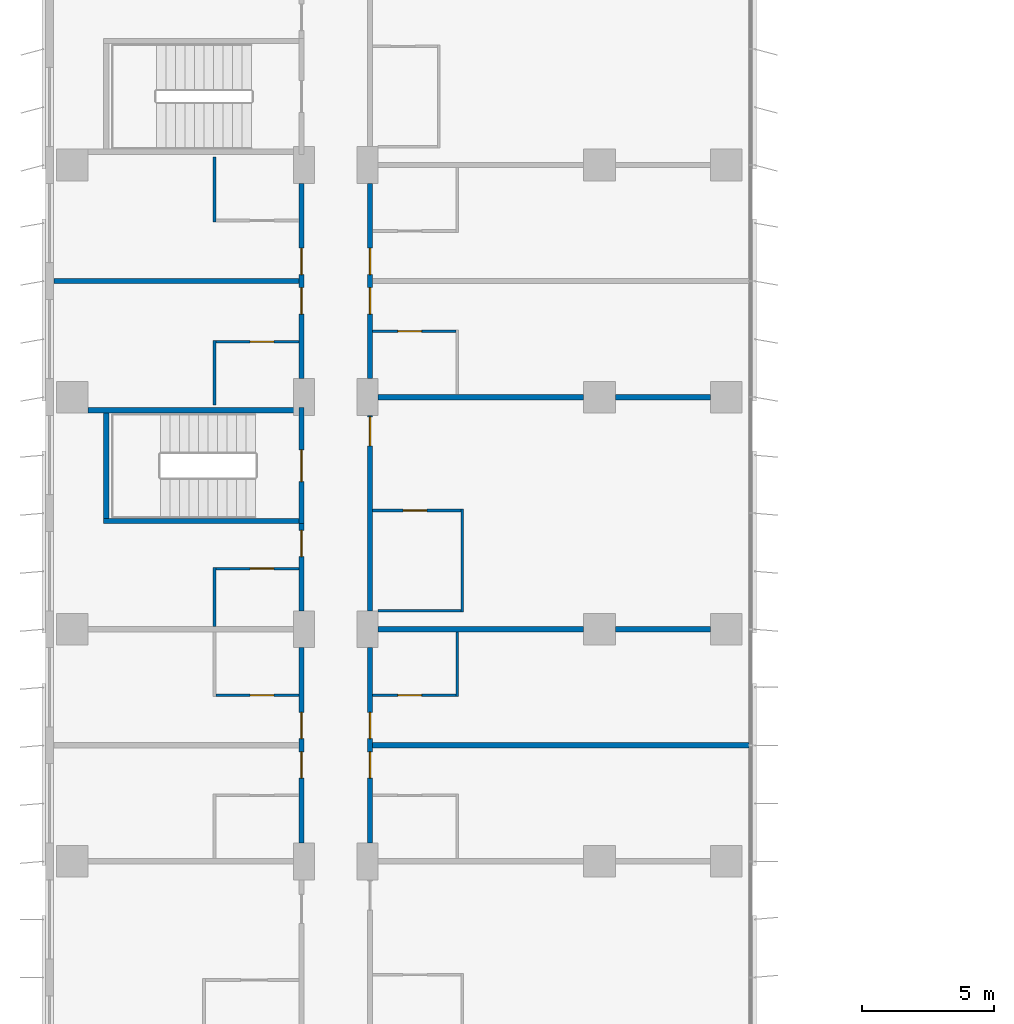
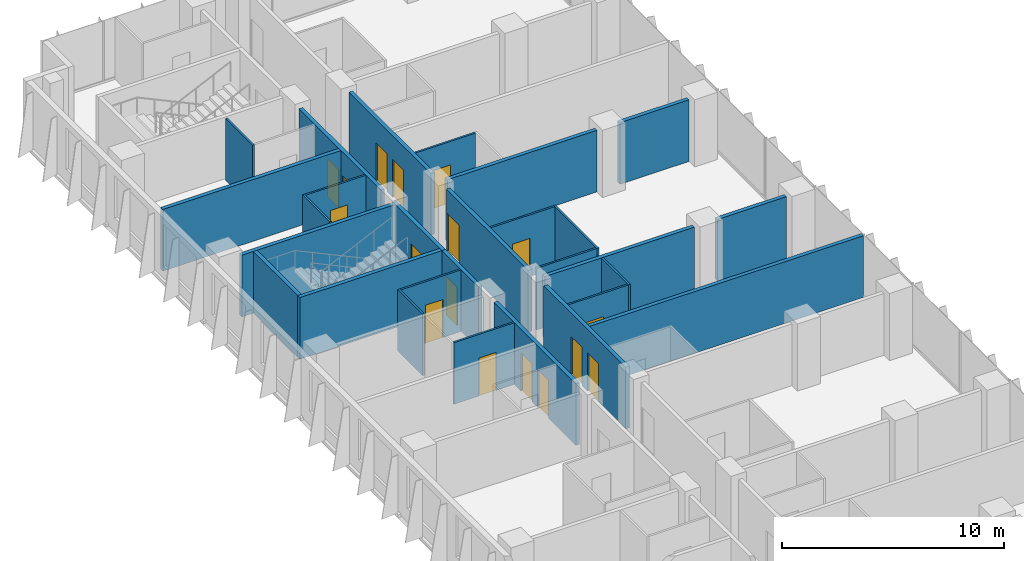
# One storey, part 17 of 23: 28 walls, 17 doors, 17 openings.
"""IFC4 building model written with IfcOpenShell, lengths in metres."""

from ifc_helpers import new_model, si_unit, direction, frame, frame_2d, origin, place, context, subcontext, project, spatial, rectangle, extrude, material, layer, layer_set, type_object, element, fill, save


model = new_model("IFC4")

# Units and contexts
model_context = context("Model", 3, precision=1e-05, world=origin(), true_north=direction((0.0, 1.0)))
body_context = subcontext(model_context, "Body", "Model", "MODEL_VIEW")
ifc_project = project(units=[si_unit("LENGTHUNIT", "METRE"), si_unit("AREAUNIT", "SQUARE_METRE"), si_unit("VOLUMEUNIT", "CUBIC_METRE"), si_unit("PLANEANGLEUNIT", "RADIAN"), si_unit("MASSUNIT", "GRAM", prefix="KILO")], contexts=[model_context])

# Site, building, storey
site_placement = place(None, origin())
site = spatial("IfcSite", under=ifc_project, at=site_placement, CompositionType="ELEMENT")
building_placement = place(site_placement, origin())
building = spatial("IfcBuilding", under=site, at=building_placement, Name="Kemantara Hotel Tower", CompositionType="ELEMENT")
storey_placement = place(building_placement, frame((0.0, 0.0, 114.800048828125)))
storey = spatial("IfcBuildingStorey", under=building, at=storey_placement, Name="L27", CompositionType="ELEMENT", Elevation=114.800048828125)

# Wall, openings, doors
ifc_material_1 = material(Name="Gypsum board partition, steel studs and mineral wool, 200 mm", Category="steel")
ifc_layer_1 = layer(ifc_material_1, 0.199951171875)
ifc_layer_set_1 = layer_set([ifc_layer_1], Name="Gypsum board partition, steel studs and mineral wool, 200 mm")
wall_type_1 = type_object("IfcWallType", Name="CORRIDOR WALL 200", PredefinedType="PARTITIONING", material=ifc_layer_set_1)
wall_1_placement = place(storey_placement, frame((9.699951171875, 45.7001953125, 0.0), z_axis=(0.0, 0.0, 1.0), x_axis=(0.0, 1.0, 0.0)))
wall_1 = element("IfcWall", 1, at=wall_1_placement, inside=storey, type_object=wall_type_1, Name="CORRIDOR WALL 200 023", PredefinedType="PARTITIONING", context=body_context, shape_type="SweptSolid", body=[
    extrude(rectangle(XDim=7.399658203125, YDim=0.199951171875, at=frame_2d((3.69970703125, 0.0))), origin(), (0.0, 0.0, 1.0), 3.39990234375),
])
opening_1_placement = place(wall_1_placement, frame((2.449951171875, 0.0, 0.0)))
opening_1 = element("IfcOpeningElement", 2, at=opening_1_placement, cuts=wall_1, Name="Opening F12-033", PredefinedType="OPENING", context=body_context, shape_type="SweptSolid", body=[
    extrude(rectangle(XDim=1.0, YDim=2.10009765625, at=frame_2d((0.5, 1.050048828125))), frame((0.0, 0.10986328125, 0.0), z_axis=(0.0, -1.0, 0.0), x_axis=(1.0, 0.0, 0.0)), (0.0, 0.0, 1.0), 0.219970703125),
])
opening_2_placement = place(wall_1_placement, frame((3.949951171875, 0.0, 0.0)))
opening_2 = element("IfcOpeningElement", 3, at=opening_2_placement, cuts=wall_1, Name="Opening F12-035", PredefinedType="OPENING", context=body_context, shape_type="SweptSolid", body=[
    extrude(rectangle(XDim=1.0, YDim=2.10009765625, at=frame_2d((0.5, 1.050048828125))), frame((0.0, 0.10986328125, 0.0), z_axis=(0.0, -1.0, 0.0), x_axis=(1.0, 0.0, 0.0)), (0.0, 0.0, 1.0), 0.219970703125),
])
ifc_material_2 = material(Name="Hardwood veneer door leaf with steel frame", Category="steel")
door_type_1 = type_object("IfcDoorType", Name="GUEST ROOM DOOR 1000 X 2100 FD30S", OperationType="NOTDEFINED", PredefinedType="DOOR", material=ifc_material_2)
door_1_placement = place(opening_1_placement, origin())
door_1 = element("IfcDoor", 4, at=door_1_placement, inside=storey, type_object=door_type_1, Name="GUEST ROOM DOOR F12-033", OperationType="SINGLE_SWING_RIGHT", OverallHeight=2.10009765625, OverallWidth=1.0, PredefinedType="DOOR", context=body_context, shape_type="SweptSolid", body=[
    extrude(rectangle(XDim=1.0, YDim=2.10009765625, at=frame_2d((0.5, 1.050048828125))), frame((0.0, 0.02490234375, 0.0), z_axis=(0.0, -1.0, 0.0), x_axis=(1.0, 0.0, 0.0)), (0.0, 0.0, 1.0), 0.050048828125),
])
fill(opening_1, door_1)
door_2_placement = place(opening_2_placement, origin())
door_2 = element("IfcDoor", 5, at=door_2_placement, inside=storey, type_object=door_type_1, Name="GUEST ROOM DOOR F12-035", OperationType="SINGLE_SWING_LEFT", OverallHeight=2.10009765625, OverallWidth=1.0, PredefinedType="DOOR", context=body_context, shape_type="SweptSolid", body=[
    extrude(rectangle(XDim=1.0, YDim=2.10009765625, at=frame_2d((0.5, 1.050048828125))), frame((0.0, 0.02490234375, 0.0), z_axis=(0.0, -1.0, 0.0), x_axis=(1.0, 0.0, 0.0)), (0.0, 0.0, 1.0), 0.050048828125),
])
fill(opening_2, door_2)

# Wall, opening, door
wall_2_placement = place(storey_placement, frame((9.699951171875, 54.5, 0.0), z_axis=(0.0, 0.0, 1.0), x_axis=(0.0, 1.0, 0.0)))
wall_2 = element("IfcWall", 6, at=wall_2_placement, inside=storey, type_object=wall_type_1, Name="CORRIDOR WALL 200 024", PredefinedType="PARTITIONING", context=body_context, shape_type="SweptSolid", body=[
    extrude(rectangle(XDim=3.300048828125, YDim=0.199951171875, at=frame_2d((1.64990234375, 0.0))), origin(), (0.0, 0.0, 1.0), 3.39990234375),
])
opening_3_placement = place(wall_2_placement, frame((2.0498046875, 0.0, 0.0)))
opening_3 = element("IfcOpeningElement", 7, at=opening_3_placement, cuts=wall_2, Name="Opening F12-037", PredefinedType="OPENING", context=body_context, shape_type="SweptSolid", body=[
    extrude(rectangle(XDim=1.0, YDim=2.10009765625, at=frame_2d((0.5, 1.050048828125))), frame((0.0, 0.10986328125, 0.0), z_axis=(0.0, -1.0, 0.0), x_axis=(1.0, 0.0, 0.0)), (0.0, 0.0, 1.0), 0.219970703125),
])
door_3_placement = place(opening_3_placement, origin())
door_3 = element("IfcDoor", 8, at=door_3_placement, inside=storey, type_object=door_type_1, Name="GUEST ROOM DOOR F12-037", OperationType="SINGLE_SWING_RIGHT", OverallHeight=2.10009765625, OverallWidth=1.0, PredefinedType="DOOR", context=body_context, shape_type="SweptSolid", body=[
    extrude(rectangle(XDim=1.0, YDim=2.10009765625, at=frame_2d((0.5, 1.050048828125))), frame((0.0, 0.02490234375, 0.0), z_axis=(0.0, -1.0, 0.0), x_axis=(1.0, 0.0, 0.0)), (0.0, 0.0, 1.0), 0.050048828125),
])
fill(opening_3, door_3)

# Wall, openings, doors
wall_3_placement = place(storey_placement, frame((9.699951171875, 63.300048828125, 0.0), z_axis=(0.0, 0.0, 1.0), x_axis=(0.0, 1.0, 0.0)))
wall_3 = element("IfcWall", 9, at=wall_3_placement, inside=storey, type_object=wall_type_1, Name="CORRIDOR WALL 200 025", PredefinedType="PARTITIONING", context=body_context, shape_type="SweptSolid", body=[
    extrude(rectangle(XDim=7.39990234375, YDim=0.199951171875, at=frame_2d((3.699951171875, 0.0))), origin(), (0.0, 0.0, 1.0), 3.39990234375),
])
opening_4_placement = place(wall_3_placement, frame((2.449951171875, 0.0, 0.0)))
opening_4 = element("IfcOpeningElement", 10, at=opening_4_placement, cuts=wall_3, Name="Opening F12-039", PredefinedType="OPENING", context=body_context, shape_type="SweptSolid", body=[
    extrude(rectangle(XDim=1.0, YDim=2.10009765625, at=frame_2d((0.5, 1.050048828125))), frame((0.0, 0.10986328125, 0.0), z_axis=(0.0, -1.0, 0.0), x_axis=(1.0, 0.0, 0.0)), (0.0, 0.0, 1.0), 0.219970703125),
])
opening_5_placement = place(wall_3_placement, frame((3.949951171875, 0.0, 0.0)))
opening_5 = element("IfcOpeningElement", 11, at=opening_5_placement, cuts=wall_3, Name="Opening F12-041", PredefinedType="OPENING", context=body_context, shape_type="SweptSolid", body=[
    extrude(rectangle(XDim=1.0, YDim=2.10009765625, at=frame_2d((0.5, 1.050048828125))), frame((0.0, 0.10986328125, 0.0), z_axis=(0.0, -1.0, 0.0), x_axis=(1.0, 0.0, 0.0)), (0.0, 0.0, 1.0), 0.219970703125),
])
door_4_placement = place(opening_4_placement, origin())
door_4 = element("IfcDoor", 12, at=door_4_placement, inside=storey, type_object=door_type_1, Name="GUEST ROOM DOOR F12-039", OperationType="SINGLE_SWING_RIGHT", OverallHeight=2.10009765625, OverallWidth=1.0, PredefinedType="DOOR", context=body_context, shape_type="SweptSolid", body=[
    extrude(rectangle(XDim=1.0, YDim=2.10009765625, at=frame_2d((0.5, 1.050048828125))), frame((0.0, 0.02490234375, 0.0), z_axis=(0.0, -1.0, 0.0), x_axis=(1.0, 0.0, 0.0)), (0.0, 0.0, 1.0), 0.050048828125),
])
fill(opening_4, door_4)
door_5_placement = place(opening_5_placement, origin())
door_5 = element("IfcDoor", 13, at=door_5_placement, inside=storey, type_object=door_type_1, Name="GUEST ROOM DOOR F12-041", OperationType="SINGLE_SWING_LEFT", OverallHeight=2.10009765625, OverallWidth=1.0, PredefinedType="DOOR", context=body_context, shape_type="SweptSolid", body=[
    extrude(rectangle(XDim=1.0, YDim=2.10009765625, at=frame_2d((0.5, 1.050048828125))), frame((0.0, 0.02490234375, 0.0), z_axis=(0.0, -1.0, 0.0), x_axis=(1.0, 0.0, 0.0)), (0.0, 0.0, 1.0), 0.050048828125),
])
fill(opening_5, door_5)

wall_4_placement = place(storey_placement, frame((12.300048828125, 53.099853515625, 0.0), z_axis=(0.0, 0.0, 1.0), x_axis=(0.0, -1.0, 0.0)))
wall_4 = element("IfcWall", 14, at=wall_4_placement, inside=storey, type_object=wall_type_1, Name="CORRIDOR WALL 200 047", PredefinedType="PARTITIONING", context=body_context, shape_type="SweptSolid", body=[
    extrude(rectangle(XDim=7.399658203125, YDim=0.199951171875, at=frame_2d((3.69970703125, 0.0))), origin(), (0.0, 0.0, 1.0), 3.39990234375),
])
opening_6_placement = place(wall_4_placement, frame((3.949951171875, 0.0, 0.0)))
opening_6 = element("IfcOpeningElement", 15, at=opening_6_placement, cuts=wall_4, Name="Opening F12-051", PredefinedType="OPENING", context=body_context, shape_type="SweptSolid", body=[
    extrude(rectangle(XDim=1.0, YDim=2.10009765625, at=frame_2d((0.5, 1.050048828125))), frame((0.0, 0.10986328125, 0.0), z_axis=(0.0, -1.0, 0.0), x_axis=(1.0, 0.0, 0.0)), (0.0, 0.0, 1.0), 0.219970703125),
])
opening_7_placement = place(wall_4_placement, frame((2.449951171875, 0.0, 0.0)))
opening_7 = element("IfcOpeningElement", 16, at=opening_7_placement, cuts=wall_4, Name="Opening F12-053", PredefinedType="OPENING", context=body_context, shape_type="SweptSolid", body=[
    extrude(rectangle(XDim=1.0, YDim=2.10009765625, at=frame_2d((0.5, 1.050048828125))), frame((0.0, 0.10986328125, 0.0), z_axis=(0.0, -1.0, 0.0), x_axis=(1.0, 0.0, 0.0)), (0.0, 0.0, 1.0), 0.219970703125),
])
door_6_placement = place(opening_6_placement, origin())
door_6 = element("IfcDoor", 17, at=door_6_placement, inside=storey, type_object=door_type_1, Name="GUEST ROOM DOOR F12-051", OperationType="SINGLE_SWING_LEFT", OverallHeight=2.10009765625, OverallWidth=1.0, PredefinedType="DOOR", context=body_context, shape_type="SweptSolid", body=[
    extrude(rectangle(XDim=1.0, YDim=2.10009765625, at=frame_2d((0.5, 1.050048828125))), frame((0.0, 0.02490234375, 0.0), z_axis=(0.0, -1.0, 0.0), x_axis=(1.0, 0.0, 0.0)), (0.0, 0.0, 1.0), 0.050048828125),
])
fill(opening_6, door_6)
door_7_placement = place(opening_7_placement, origin())
door_7 = element("IfcDoor", 18, at=door_7_placement, inside=storey, type_object=door_type_1, Name="GUEST ROOM DOOR F12-053", OperationType="SINGLE_SWING_RIGHT", OverallHeight=2.10009765625, OverallWidth=1.0, PredefinedType="DOOR", context=body_context, shape_type="SweptSolid", body=[
    extrude(rectangle(XDim=1.0, YDim=2.10009765625, at=frame_2d((0.5, 1.050048828125))), frame((0.0, 0.02490234375, 0.0), z_axis=(0.0, -1.0, 0.0), x_axis=(1.0, 0.0, 0.0)), (0.0, 0.0, 1.0), 0.050048828125),
])
fill(opening_7, door_7)

# Wall, opening, door
wall_5_placement = place(storey_placement, frame((12.300048828125, 61.89990234375, 0.0), z_axis=(0.0, 0.0, 1.0), x_axis=(0.0, -1.0, 0.0)))
wall_5 = element("IfcWall", 19, at=wall_5_placement, inside=storey, type_object=wall_type_1, Name="CORRIDOR WALL 200 048", PredefinedType="PARTITIONING", context=body_context, shape_type="SweptSolid", body=[
    extrude(rectangle(XDim=7.39990234375, YDim=0.199951171875, at=frame_2d((3.699951171875, 0.0))), origin(), (0.0, 0.0, 1.0), 3.39990234375),
])
opening_8_placement = place(wall_5_placement, frame((0.0498046875, 0.0, 0.0)))
opening_8 = element("IfcOpeningElement", 20, at=opening_8_placement, cuts=wall_5, Name="Opening F12-055", PredefinedType="OPENING", context=body_context, shape_type="SweptSolid", body=[
    extrude(rectangle(XDim=1.10009765625, YDim=2.10009765625, at=frame_2d((0.550048828125, 1.050048828125))), frame((0.0, 0.10986328125, 0.0), z_axis=(0.0, -1.0, 0.0), x_axis=(1.0, 0.0, 0.0)), (0.0, 0.0, 1.0), 0.219970703125),
])
door_type_2 = type_object("IfcDoorType", Name="SUITE ENTRANCE DOOR 1100 X 2100 FD30S", OperationType="NOTDEFINED", PredefinedType="DOOR", material=ifc_material_2)
door_8_placement = place(opening_8_placement, origin())
door_8 = element("IfcDoor", 21, at=door_8_placement, inside=storey, type_object=door_type_2, Name="SUITE ENTRANCE DOOR F12-055", OperationType="SINGLE_SWING_LEFT", OverallHeight=2.10009765625, OverallWidth=1.10009765625, PredefinedType="DOOR", context=body_context, shape_type="SweptSolid", body=[
    extrude(rectangle(XDim=1.10009765625, YDim=2.10009765625, at=frame_2d((0.550048828125, 1.050048828125))), frame((0.0, 0.02490234375, 0.0), z_axis=(0.0, -1.0, 0.0), x_axis=(1.0, 0.0, 0.0)), (0.0, 0.0, 1.0), 0.050048828125),
])
fill(opening_8, door_8)

# Wall, openings, doors
wall_6_placement = place(storey_placement, frame((12.300048828125, 70.699951171875, 0.0), z_axis=(0.0, 0.0, 1.0), x_axis=(0.0, -1.0, 0.0)))
wall_6 = element("IfcWall", 22, at=wall_6_placement, inside=storey, type_object=wall_type_1, Name="CORRIDOR WALL 200 049", PredefinedType="PARTITIONING", context=body_context, shape_type="SweptSolid", body=[
    extrude(rectangle(XDim=7.39990234375, YDim=0.199951171875, at=frame_2d((3.699951171875, 0.0))), origin(), (0.0, 0.0, 1.0), 3.39990234375),
])
opening_9_placement = place(wall_6_placement, frame((3.949951171875, 0.0, 0.0)))
opening_9 = element("IfcOpeningElement", 23, at=opening_9_placement, cuts=wall_6, Name="Opening F12-057", PredefinedType="OPENING", context=body_context, shape_type="SweptSolid", body=[
    extrude(rectangle(XDim=1.0, YDim=2.10009765625, at=frame_2d((0.5, 1.050048828125))), frame((0.0, 0.10986328125, 0.0), z_axis=(0.0, -1.0, 0.0), x_axis=(1.0, 0.0, 0.0)), (0.0, 0.0, 1.0), 0.219970703125),
])
opening_10_placement = place(wall_6_placement, frame((2.449951171875, 0.0, 0.0)))
opening_10 = element("IfcOpeningElement", 24, at=opening_10_placement, cuts=wall_6, Name="Opening F12-059", PredefinedType="OPENING", context=body_context, shape_type="SweptSolid", body=[
    extrude(rectangle(XDim=1.0, YDim=2.10009765625, at=frame_2d((0.5, 1.050048828125))), frame((0.0, 0.10986328125, 0.0), z_axis=(0.0, -1.0, 0.0), x_axis=(1.0, 0.0, 0.0)), (0.0, 0.0, 1.0), 0.219970703125),
])
door_9_placement = place(opening_9_placement, origin())
door_9 = element("IfcDoor", 25, at=door_9_placement, inside=storey, type_object=door_type_1, Name="GUEST ROOM DOOR F12-057", OperationType="SINGLE_SWING_LEFT", OverallHeight=2.10009765625, OverallWidth=1.0, PredefinedType="DOOR", context=body_context, shape_type="SweptSolid", body=[
    extrude(rectangle(XDim=1.0, YDim=2.10009765625, at=frame_2d((0.5, 1.050048828125))), frame((0.0, 0.02490234375, 0.0), z_axis=(0.0, -1.0, 0.0), x_axis=(1.0, 0.0, 0.0)), (0.0, 0.0, 1.0), 0.050048828125),
])
fill(opening_9, door_9)
door_10_placement = place(opening_10_placement, origin())
door_10 = element("IfcDoor", 26, at=door_10_placement, inside=storey, type_object=door_type_1, Name="GUEST ROOM DOOR F12-059", OperationType="SINGLE_SWING_RIGHT", OverallHeight=2.10009765625, OverallWidth=1.0, PredefinedType="DOOR", context=body_context, shape_type="SweptSolid", body=[
    extrude(rectangle(XDim=1.0, YDim=2.10009765625, at=frame_2d((0.5, 1.050048828125))), frame((0.0, 0.02490234375, 0.0), z_axis=(0.0, -1.0, 0.0), x_axis=(1.0, 0.0, 0.0)), (0.0, 0.0, 1.0), 0.050048828125),
])
fill(opening_10, door_10)

# Wall, opening, door
ifc_material_3 = material(Name="Concrete fc 40 MPa", Category="concrete")
ifc_layer_2 = layer(ifc_material_3, 0.199951171875)
ifc_layer_set_2 = layer_set([ifc_layer_2], Name="Concrete fc 40 MPa")
wall_type_2 = type_object("IfcWallType", Name="Concrete stair wall 200 mm", PredefinedType="SHEAR", material=ifc_layer_set_2)
wall_7_placement = place(storey_placement, frame((9.699951171875, 57.800048828125, 0.0), z_axis=(0.0, 0.0, 1.0), x_axis=(0.0, 1.0, 0.0)))
wall_7 = element("IfcWall", 27, at=wall_7_placement, inside=storey, type_object=wall_type_2, Name="Stair ST4 enclosure wall with door", PredefinedType="SHEAR", context=body_context, shape_type="SweptSolid", body=[
    extrude(rectangle(XDim=4.39990234375, YDim=0.199951171875, at=frame_2d((2.199951171875, 0.0))), origin(), (0.0, 0.0, 1.0), 3.39990234375),
])
opening_11_placement = place(wall_7_placement, frame((1.60009765625, 0.0, 0.0)))
opening_11 = element("IfcOpeningElement", 28, at=opening_11_placement, cuts=wall_7, Name="Opening ST4-C", PredefinedType="OPENING", context=body_context, shape_type="SweptSolid", body=[
    extrude(rectangle(XDim=1.199951171875, YDim=2.10009765625, at=frame_2d((0.60009765625, 1.050048828125))), frame((0.0, 0.10986328125, 0.0), z_axis=(0.0, -1.0, 0.0), x_axis=(1.0, 0.0, 0.0)), (0.0, 0.0, 1.0), 0.219970703125),
])
ifc_material_4 = material(Name="Steel fire door", Category="steel")
door_type_3 = type_object("IfcDoorType", Name="Fire door FD90 1200 x 2100", OperationType="NOTDEFINED", PredefinedType="DOOR", material=ifc_material_4)
door_11_placement = place(opening_11_placement, origin())
door_11 = element("IfcDoor", 29, at=door_11_placement, inside=storey, type_object=door_type_3, Name="Stair ST4 door", OperationType="SINGLE_SWING_RIGHT", OverallHeight=2.10009765625, OverallWidth=1.199951171875, PredefinedType="DOOR", context=body_context, shape_type="SweptSolid", body=[
    extrude(rectangle(XDim=1.199951171875, YDim=2.10009765625, at=frame_2d((0.60009765625, 1.050048828125))), frame((0.0, 0.02490234375, 0.0), z_axis=(0.0, -1.0, 0.0), x_axis=(1.0, 0.0, 0.0)), (0.0, 0.0, 1.0), 0.050048828125),
])
fill(opening_11, door_11)

# Walls
wall_8_placement = place(storey_placement, frame((1.60009765625, 62.10009765625, 0.0), z_axis=(0.0, 0.0, 1.0), x_axis=(1.0, 0.0, 0.0)))
element("IfcWall", 30, at=wall_8_placement, inside=storey, type_object=wall_type_2, Name="Stair ST4 enclosure wall N", PredefinedType="SHEAR", context=body_context, shape_type="SweptSolid", body=[
    extrude(rectangle(XDim=8.0, YDim=0.199951171875, at=frame_2d((4.0, 0.0))), origin(), (0.0, 0.0, 1.0), 3.39990234375),
])
wall_9_placement = place(storey_placement, frame((2.199951171875, 57.89990234375, 0.0), z_axis=(0.0, 0.0, 1.0), x_axis=(1.0, 0.0, 0.0)))
element("IfcWall", 31, at=wall_9_placement, inside=storey, type_object=wall_type_2, Name="Stair ST4 enclosure wall S", PredefinedType="SHEAR", context=body_context, shape_type="SweptSolid", body=[
    extrude(rectangle(XDim=7.400146484375, YDim=0.199951171875, at=frame_2d((3.7001953125, 0.0))), origin(), (0.0, 0.0, 1.0), 3.39990234375),
])
wall_10_placement = place(storey_placement, frame((2.300048828125, 58.0, 0.0), z_axis=(0.0, 0.0, 1.0), x_axis=(0.0, 1.0, 0.0)))
element("IfcWall", 32, at=wall_10_placement, inside=storey, type_object=wall_type_2, Name="Stair ST4 enclosure wall W", PredefinedType="SHEAR", context=body_context, shape_type="SweptSolid", body=[
    extrude(rectangle(XDim=4.0, YDim=0.199951171875, at=frame_2d((2.0, 0.0))), origin(), (0.0, 0.0, 1.0), 3.39990234375),
])
ifc_layer_3 = layer(ifc_material_1, 0.199951171875)
ifc_layer_set_3 = layer_set([ifc_layer_3], Name="Gypsum board partition, steel studs and mineral wool, 200 mm")
wall_type_3 = type_object("IfcWallType", Name="GUEST ROOM PARTY WALL 200", PredefinedType="PARTITIONING", material=ifc_layer_set_3)
wall_11_placement = place(storey_placement, frame((12.39990234375, 49.39990234375, 0.0), z_axis=(0.0, 0.0, 1.0), x_axis=(1.0, 0.0, 0.0)))
element("IfcWall", 33, at=wall_11_placement, inside=storey, type_object=wall_type_3, Name="GUEST ROOM PARTY WALL 200 038", PredefinedType="PARTITIONING", context=body_context, shape_type="SweptSolid", body=[
    extrude(rectangle(XDim=14.27001953125, YDim=0.199951171875, at=frame_2d((7.135009765625, 0.0))), origin(), (0.0, 0.0, 1.0), 3.39990234375),
])
wall_12_placement = place(storey_placement, frame((12.60009765625, 53.800048828125, 0.0), z_axis=(0.0, 0.0, 1.0), x_axis=(1.0, 0.0, 0.0)))
element("IfcWall", 34, at=wall_12_placement, inside=storey, type_object=wall_type_3, Name="GUEST ROOM PARTY WALL 200 040", PredefinedType="PARTITIONING", context=body_context, shape_type="SweptSolid", body=[
    extrude(rectangle(XDim=7.7998046875, YDim=0.199951171875, at=frame_2d((3.89990234375, 0.0))), origin(), (0.0, 0.0, 1.0), 3.39990234375),
])
wall_13_placement = place(storey_placement, frame((21.60009765625, 53.800048828125, 0.0), z_axis=(0.0, 0.0, 1.0), x_axis=(1.0, 0.0, 0.0)))
element("IfcWall", 35, at=wall_13_placement, inside=storey, type_object=wall_type_3, Name="GUEST ROOM PARTY WALL 200 041", PredefinedType="PARTITIONING", context=body_context, shape_type="SweptSolid", body=[
    extrude(rectangle(XDim=3.599853515625, YDim=0.199951171875, at=frame_2d((1.7998046875, 0.0))), origin(), (0.0, 0.0, 1.0), 3.39990234375),
])
wall_14_placement = place(storey_placement, frame((0.31005859375, 67.0, 0.0), z_axis=(0.0, 0.0, 1.0), x_axis=(1.0, 0.0, 0.0)))
element("IfcWall", 36, at=wall_14_placement, inside=storey, type_object=wall_type_3, Name="GUEST ROOM PARTY WALL 200 042", PredefinedType="PARTITIONING", context=body_context, shape_type="SweptSolid", body=[
    extrude(rectangle(XDim=9.2900390625, YDim=0.199951171875, at=frame_2d((4.64501953125, 0.0))), origin(), (0.0, 0.0, 1.0), 3.39990234375),
])
wall_15_placement = place(storey_placement, frame((12.60009765625, 62.60009765625, 0.0), z_axis=(0.0, 0.0, 1.0), x_axis=(1.0, 0.0, 0.0)))
element("IfcWall", 37, at=wall_15_placement, inside=storey, type_object=wall_type_3, Name="GUEST ROOM PARTY WALL 200 053", PredefinedType="PARTITIONING", context=body_context, shape_type="SweptSolid", body=[
    extrude(rectangle(XDim=7.7998046875, YDim=0.199951171875, at=frame_2d((3.89990234375, 0.0))), origin(), (0.0, 0.0, 1.0), 3.39990234375),
])
wall_16_placement = place(storey_placement, frame((21.60009765625, 62.60009765625, 0.0), z_axis=(0.0, 0.0, 1.0), x_axis=(1.0, 0.0, 0.0)))
element("IfcWall", 38, at=wall_16_placement, inside=storey, type_object=wall_type_3, Name="GUEST ROOM PARTY WALL 200 054", PredefinedType="PARTITIONING", context=body_context, shape_type="SweptSolid", body=[
    extrude(rectangle(XDim=3.599853515625, YDim=0.199951171875, at=frame_2d((1.7998046875, 0.0))), origin(), (0.0, 0.0, 1.0), 3.39990234375),
])
ifc_material_5 = material(Name="Gypsum board partition on steel studs, 100 mm", Category="steel")
ifc_layer_4 = layer(ifc_material_5, 0.10009765625)
ifc_layer_set_4 = layer_set([ifc_layer_4], Name="Gypsum board partition on steel studs, 100 mm")
wall_type_4 = type_object("IfcWallType", Name="ROOM PARTITION 100", PredefinedType="PARTITIONING", material=ifc_layer_set_4)
wall_17_placement = place(storey_placement, frame((6.39990234375, 53.89990234375, 0.0), z_axis=(0.0, 0.0, 1.0), x_axis=(0.0, 1.0, 0.0)))
element("IfcWall", 39, at=wall_17_placement, inside=storey, type_object=wall_type_4, Name="ROOM PARTITION 100 086", PredefinedType="PARTITIONING", context=body_context, shape_type="SweptSolid", body=[
    extrude(rectangle(XDim=2.25, YDim=0.10009765625, at=frame_2d((1.125, 0.0))), origin(), (0.0, 0.0, 1.0), 3.39990234375),
])
for number, where, z_axis, x_axis, name in (
    (40, (6.39990234375, 62.300048828125, 0.0), (0.0, 0.0, 1.0), (0.0, 1.0, 0.0), "ROOM PARTITION 100 087"),
    (41, (6.39990234375, 69.25, 0.0), (0.0, 0.0, 1.0), (0.0, 1.0, 0.0), "ROOM PARTITION 100 088"),
):
    element("IfcWall", number, at=place(storey_placement, frame(where, z_axis=z_axis, x_axis=x_axis)), inside=storey, type_object=wall_type_4, Name=name, PredefinedType="PARTITIONING", context=body_context, shape_type="SweptSolid", body=[
        extrude(rectangle(XDim=2.449951171875, YDim=0.10009765625, at=frame_2d((1.22509765625, 0.0))), origin(), (0.0, 0.0, 1.0), 3.39990234375),
    ])

# Wall, opening, door
wall_18_placement = place(storey_placement, frame((6.449951171875, 51.300048828125, 0.0), z_axis=(0.0, 0.0, 1.0), x_axis=(1.0, 0.0, 0.0)))
wall_18 = element("IfcWall", 42, at=wall_18_placement, inside=storey, type_object=wall_type_4, Name="ROOM PARTITION 100 101", PredefinedType="PARTITIONING", context=body_context, shape_type="SweptSolid", body=[
    extrude(rectangle(XDim=3.150146484375, YDim=0.10009765625, at=frame_2d((1.5751953125, 0.0))), origin(), (0.0, 0.0, 1.0), 3.39990234375),
])
opening_12_placement = place(wall_18_placement, frame((1.300048828125, 0.0, 0.0)))
opening_12 = element("IfcOpeningElement", 43, at=opening_12_placement, cuts=wall_18, Name="Opening F12-036", PredefinedType="OPENING", context=body_context, shape_type="SweptSolid", body=[
    extrude(rectangle(XDim=0.89990234375, YDim=2.10009765625, at=frame_2d((0.449951171875, 1.050048828125))), frame((0.0, 0.06005859375, 0.0), z_axis=(0.0, -1.0, 0.0), x_axis=(1.0, 0.0, 0.0)), (0.0, 0.0, 1.0), 0.1201171875),
])
door_type_4 = type_object("IfcDoorType", Name="BATHROOM DOOR 900 X 2100", OperationType="NOTDEFINED", PredefinedType="DOOR", material=ifc_material_2)
door_12_placement = place(opening_12_placement, origin())
door_12 = element("IfcDoor", 44, at=door_12_placement, inside=storey, type_object=door_type_4, Name="BATHROOM DOOR F12-036", OperationType="SINGLE_SWING_RIGHT", OverallHeight=2.10009765625, OverallWidth=0.89990234375, PredefinedType="DOOR", context=body_context, shape_type="SweptSolid", body=[
    extrude(rectangle(XDim=0.89990234375, YDim=2.10009765625, at=frame_2d((0.449951171875, 1.050048828125))), frame((0.0, 0.02490234375, 0.0), z_axis=(0.0, -1.0, 0.0), x_axis=(1.0, 0.0, 0.0)), (0.0, 0.0, 1.0), 0.050048828125),
])
fill(opening_12, door_12)

wall_19_placement = place(storey_placement, frame((12.39990234375, 51.300048828125, 0.0), z_axis=(0.0, 0.0, 1.0), x_axis=(1.0, 0.0, 0.0)))
wall_19 = element("IfcWall", 45, at=wall_19_placement, inside=storey, type_object=wall_type_4, Name="ROOM PARTITION 100 102", PredefinedType="PARTITIONING", context=body_context, shape_type="SweptSolid", body=[
    extrude(rectangle(XDim=3.150146484375, YDim=0.10009765625, at=frame_2d((1.5751953125, 0.0))), origin(), (0.0, 0.0, 1.0), 3.39990234375),
])
opening_13_placement = place(wall_19_placement, frame((0.949951171875, 0.0, 0.0)))
opening_13 = element("IfcOpeningElement", 46, at=opening_13_placement, cuts=wall_19, Name="Opening F12-054", PredefinedType="OPENING", context=body_context, shape_type="SweptSolid", body=[
    extrude(rectangle(XDim=0.89990234375, YDim=2.10009765625, at=frame_2d((0.449951171875, 1.050048828125))), frame((0.0, 0.06005859375, 0.0), z_axis=(0.0, -1.0, 0.0), x_axis=(1.0, 0.0, 0.0)), (0.0, 0.0, 1.0), 0.1201171875),
])
door_13_placement = place(opening_13_placement, origin())
door_13 = element("IfcDoor", 47, at=door_13_placement, inside=storey, type_object=door_type_4, Name="BATHROOM DOOR F12-054", OperationType="SINGLE_SWING_LEFT", OverallHeight=2.10009765625, OverallWidth=0.89990234375, PredefinedType="DOOR", context=body_context, shape_type="SweptSolid", body=[
    extrude(rectangle(XDim=0.89990234375, YDim=2.10009765625, at=frame_2d((0.449951171875, 1.050048828125))), frame((0.0, 0.02490234375, 0.0), z_axis=(0.0, -1.0, 0.0), x_axis=(1.0, 0.0, 0.0)), (0.0, 0.0, 1.0), 0.050048828125),
])
fill(opening_13, door_13)

wall_20_placement = place(storey_placement, frame((9.60009765625, 56.10009765625, 0.0), z_axis=(0.0, 0.0, 1.0), x_axis=(-1.0, 0.0, 0.0)))
wall_20 = element("IfcWall", 48, at=wall_20_placement, inside=storey, type_object=wall_type_4, Name="ROOM PARTITION 100 103", PredefinedType="PARTITIONING", context=body_context, shape_type="SweptSolid", body=[
    extrude(rectangle(XDim=3.150146484375, YDim=0.10009765625, at=frame_2d((1.5751953125, 0.0))), origin(), (0.0, 0.0, 1.0), 3.39990234375),
])
opening_14_placement = place(wall_20_placement, frame((0.949951171875, 0.0, 0.0)))
opening_14 = element("IfcOpeningElement", 49, at=opening_14_placement, cuts=wall_20, Name="Opening F12-038", PredefinedType="OPENING", context=body_context, shape_type="SweptSolid", body=[
    extrude(rectangle(XDim=0.89990234375, YDim=2.10009765625, at=frame_2d((0.449951171875, 1.050048828125))), frame((0.0, 0.06005859375, 0.0), z_axis=(0.0, -1.0, 0.0), x_axis=(1.0, 0.0, 0.0)), (0.0, 0.0, 1.0), 0.1201171875),
])
door_14_placement = place(opening_14_placement, origin())
door_14 = element("IfcDoor", 50, at=door_14_placement, inside=storey, type_object=door_type_4, Name="BATHROOM DOOR F12-038", OperationType="SINGLE_SWING_LEFT", OverallHeight=2.10009765625, OverallWidth=0.89990234375, PredefinedType="DOOR", context=body_context, shape_type="SweptSolid", body=[
    extrude(rectangle(XDim=0.89990234375, YDim=2.10009765625, at=frame_2d((0.449951171875, 1.050048828125))), frame((0.0, 0.02490234375, 0.0), z_axis=(0.0, -1.0, 0.0), x_axis=(1.0, 0.0, 0.0)), (0.0, 0.0, 1.0), 0.050048828125),
])
fill(opening_14, door_14)

wall_21_placement = place(storey_placement, frame((9.60009765625, 64.699951171875, 0.0), z_axis=(0.0, 0.0, 1.0), x_axis=(-1.0, 0.0, 0.0)))
wall_21 = element("IfcWall", 51, at=wall_21_placement, inside=storey, type_object=wall_type_4, Name="ROOM PARTITION 100 104", PredefinedType="PARTITIONING", context=body_context, shape_type="SweptSolid", body=[
    extrude(rectangle(XDim=3.150146484375, YDim=0.10009765625, at=frame_2d((1.5751953125, 0.0))), origin(), (0.0, 0.0, 1.0), 3.39990234375),
])
opening_15_placement = place(wall_21_placement, frame((0.949951171875, 0.0, 0.0)))
opening_15 = element("IfcOpeningElement", 52, at=opening_15_placement, cuts=wall_21, Name="Opening F12-040", PredefinedType="OPENING", context=body_context, shape_type="SweptSolid", body=[
    extrude(rectangle(XDim=0.89990234375, YDim=2.10009765625, at=frame_2d((0.449951171875, 1.050048828125))), frame((0.0, 0.06005859375, 0.0), z_axis=(0.0, -1.0, 0.0), x_axis=(1.0, 0.0, 0.0)), (0.0, 0.0, 1.0), 0.1201171875),
])
door_15_placement = place(opening_15_placement, origin())
door_15 = element("IfcDoor", 53, at=door_15_placement, inside=storey, type_object=door_type_4, Name="BATHROOM DOOR F12-040", OperationType="SINGLE_SWING_LEFT", OverallHeight=2.10009765625, OverallWidth=0.89990234375, PredefinedType="DOOR", context=body_context, shape_type="SweptSolid", body=[
    extrude(rectangle(XDim=0.89990234375, YDim=2.10009765625, at=frame_2d((0.449951171875, 1.050048828125))), frame((0.0, 0.02490234375, 0.0), z_axis=(0.0, -1.0, 0.0), x_axis=(1.0, 0.0, 0.0)), (0.0, 0.0, 1.0), 0.050048828125),
])
fill(opening_15, door_15)

# Walls
wall_22_placement = place(storey_placement, frame((15.800048828125, 54.449951171875, 0.0), z_axis=(0.0, 0.0, 1.0), x_axis=(0.0, 1.0, 0.0)))
element("IfcWall", 54, at=wall_22_placement, inside=storey, type_object=wall_type_4, Name="ROOM PARTITION 100 109", PredefinedType="PARTITIONING", context=body_context, shape_type="SweptSolid", body=[
    extrude(rectangle(XDim=3.900146484375, YDim=0.10009765625, at=frame_2d((1.9501953125, 0.0))), origin(), (0.0, 0.0, 1.0), 3.39990234375),
])
wall_23_placement = place(storey_placement, frame((15.60009765625, 51.25, 0.0), z_axis=(0.0, 0.0, 1.0), x_axis=(0.0, 1.0, 0.0)))
element("IfcWall", 55, at=wall_23_placement, inside=storey, type_object=wall_type_4, Name="ROOM PARTITION 100 112", PredefinedType="PARTITIONING", context=body_context, shape_type="SweptSolid", body=[
    extrude(rectangle(XDim=2.449951171875, YDim=0.10009765625, at=frame_2d((1.22509765625, 0.0))), origin(), (0.0, 0.0, 1.0), 3.39990234375),
])
wall_24_placement = place(storey_placement, frame((12.60009765625, 54.5, 0.0), z_axis=(0.0, 0.0, 1.0), x_axis=(1.0, 0.0, 0.0)))
element("IfcWall", 56, at=wall_24_placement, inside=storey, type_object=wall_type_4, Name="ROOM PARTITION 100 116", PredefinedType="PARTITIONING", context=body_context, shape_type="SweptSolid", body=[
    extrude(rectangle(XDim=3.14990234375, YDim=0.10009765625, at=frame_2d((1.574951171875, 0.0))), origin(), (0.0, 0.0, 1.0), 3.39990234375),
])

# Wall, opening, door
wall_25_placement = place(storey_placement, frame((15.75, 58.300048828125, 0.0), z_axis=(0.0, 0.0, 1.0), x_axis=(-1.0, 0.0, 0.0)))
wall_25 = element("IfcWall", 57, at=wall_25_placement, inside=storey, type_object=wall_type_4, Name="ROOM PARTITION 100 117", PredefinedType="PARTITIONING", context=body_context, shape_type="SweptSolid", body=[
    extrude(rectangle(XDim=3.35009765625, YDim=0.10009765625, at=frame_2d((1.675048828125, 0.0))), origin(), (0.0, 0.0, 1.0), 3.39990234375),
])
opening_16_placement = place(wall_25_placement, frame((1.300048828125, 0.0, 0.0)))
opening_16 = element("IfcOpeningElement", 58, at=opening_16_placement, cuts=wall_25, Name="Opening F12-056", PredefinedType="OPENING", context=body_context, shape_type="SweptSolid", body=[
    extrude(rectangle(XDim=0.89990234375, YDim=2.10009765625, at=frame_2d((0.449951171875, 1.050048828125))), frame((0.0, 0.06005859375, 0.0), z_axis=(0.0, -1.0, 0.0), x_axis=(1.0, 0.0, 0.0)), (0.0, 0.0, 1.0), 0.1201171875),
])
door_16_placement = place(opening_16_placement, origin())
door_16 = element("IfcDoor", 59, at=door_16_placement, inside=storey, type_object=door_type_4, Name="BATHROOM DOOR F12-056", OperationType="SINGLE_SWING_RIGHT", OverallHeight=2.10009765625, OverallWidth=0.89990234375, PredefinedType="DOOR", context=body_context, shape_type="SweptSolid", body=[
    extrude(rectangle(XDim=0.89990234375, YDim=2.10009765625, at=frame_2d((0.449951171875, 1.050048828125))), frame((0.0, 0.02490234375, 0.0), z_axis=(0.0, -1.0, 0.0), x_axis=(1.0, 0.0, 0.0)), (0.0, 0.0, 1.0), 0.050048828125),
])
fill(opening_16, door_16)

wall_26_placement = place(storey_placement, frame((15.550048828125, 65.10009765625, 0.0), z_axis=(0.0, 0.0, 1.0), x_axis=(-1.0, 0.0, 0.0)))
wall_26 = element("IfcWall", 60, at=wall_26_placement, inside=storey, type_object=wall_type_4, Name="ROOM PARTITION 100 118", PredefinedType="PARTITIONING", context=body_context, shape_type="SweptSolid", body=[
    extrude(rectangle(XDim=3.150146484375, YDim=0.10009765625, at=frame_2d((1.5751953125, 0.0))), origin(), (0.0, 0.0, 1.0), 3.39990234375),
])
opening_17_placement = place(wall_26_placement, frame((1.300048828125, 0.0, 0.0)))
opening_17 = element("IfcOpeningElement", 61, at=opening_17_placement, cuts=wall_26, Name="Opening F12-058", PredefinedType="OPENING", context=body_context, shape_type="SweptSolid", body=[
    extrude(rectangle(XDim=0.89990234375, YDim=2.10009765625, at=frame_2d((0.449951171875, 1.050048828125))), frame((0.0, 0.06005859375, 0.0), z_axis=(0.0, -1.0, 0.0), x_axis=(1.0, 0.0, 0.0)), (0.0, 0.0, 1.0), 0.1201171875),
])
door_17_placement = place(opening_17_placement, origin())
door_17 = element("IfcDoor", 62, at=door_17_placement, inside=storey, type_object=door_type_4, Name="BATHROOM DOOR F12-058", OperationType="SINGLE_SWING_RIGHT", OverallHeight=2.10009765625, OverallWidth=0.89990234375, PredefinedType="DOOR", context=body_context, shape_type="SweptSolid", body=[
    extrude(rectangle(XDim=0.89990234375, YDim=2.10009765625, at=frame_2d((0.449951171875, 1.050048828125))), frame((0.0, 0.02490234375, 0.0), z_axis=(0.0, -1.0, 0.0), x_axis=(1.0, 0.0, 0.0)), (0.0, 0.0, 1.0), 0.050048828125),
])
fill(opening_17, door_17)

save(model, "model.ifc")
